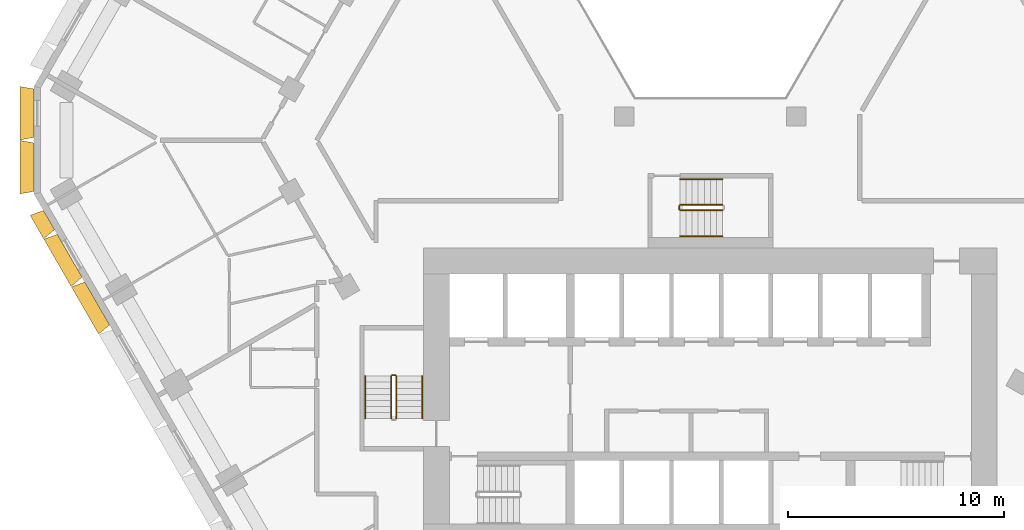
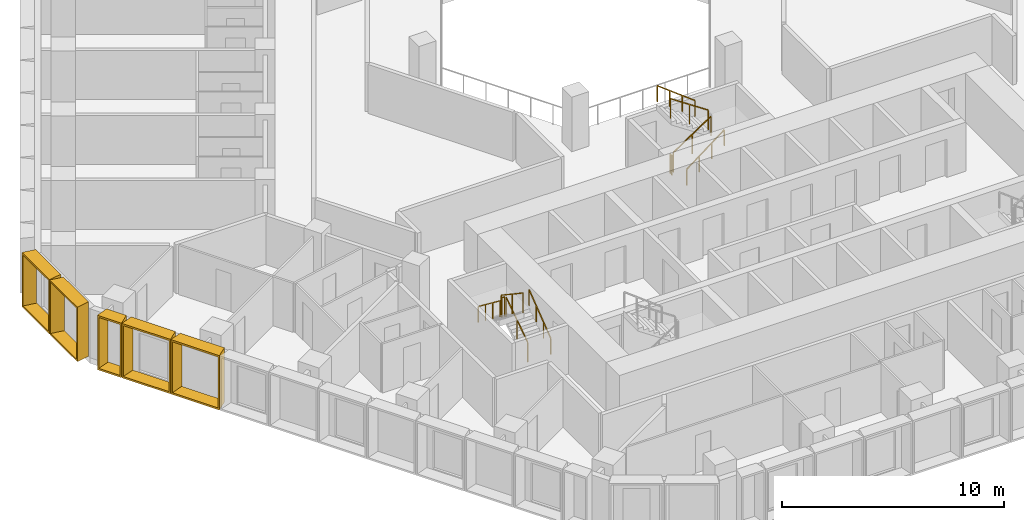
# One storey, part 14 of 16: 10 railings, 5 shading devices.
"""IFC4 building model written with IfcOpenShell, lengths in metres."""

from ifc_helpers import new_model, entity, si_unit, direction, frame, origin, origin_2d, place, context, subcontext, project, spatial, rectangle, extrude, source, transform, mapped, material, type_object, type_shapes, element, save


model = new_model("IFC4")

# Units and contexts
model_context = context("Model", 3, precision=1e-05, world=origin(), true_north=direction((0.0, 1.0)))
body_context = subcontext(model_context, "Body", "Model", "MODEL_VIEW")
ifc_project = project(units=[si_unit("LENGTHUNIT", "METRE"), si_unit("AREAUNIT", "SQUARE_METRE"), si_unit("VOLUMEUNIT", "CUBIC_METRE"), si_unit("PLANEANGLEUNIT", "RADIAN"), si_unit("MASSUNIT", "GRAM", prefix="KILO")], contexts=[model_context])

# Site, building, storey
site_placement = place(None, origin())
site = spatial("IfcSite", under=ifc_project, at=site_placement, CompositionType="ELEMENT")
building_placement = place(site_placement, origin())
building = spatial("IfcBuilding", under=site, at=building_placement, Name="Beryl Residences", CompositionType="ELEMENT")
storey_placement = place(building_placement, frame((0.0, 0.0, 38.39990234375)))
storey = spatial("IfcBuildingStorey", under=building, at=storey_placement, Name="L11", CompositionType="ELEMENT", Elevation=38.39990234375)

# Shading devices
ifc_material_1 = material(Name="Aluminium pale anodised", Category="aluminium")
shading_device_type_1 = type_object("IfcShadingDeviceType", Name="FR128-65A OUTER SKIN frame 650 mm deep, splay 10/10 deg, 1280 x 3000 mm cell", PredefinedType="USERDEFINED", material=ifc_material_1)
cartesian_point_1 = entity("IfcCartesianPoint", [-0.514892578125, 0.0])
cartesian_point_2 = entity("IfcCartesianPoint", [-0.433837890625, 0.10009765625])
cartesian_point_3 = entity("IfcCartesianPoint", [-0.629638671875, 0.0])
cartesian_point_4 = entity("IfcCartesianPoint", [-0.54833984375, 0.10009765625])
shared_shape_1 = source(origin(), body_context, "Body", "SweptSolid", [
    entity("IfcExtrudedAreaSolidTapered", entity("IfcArbitraryProfileDefWithVoids", "AREA", None, entity("IfcPolyline", [cartesian_point_1, entity("IfcCartesianPoint", [0.514892578125, 0.0]), entity("IfcCartesianPoint", [0.514892578125, 3.0]), entity("IfcCartesianPoint", [-0.514892578125, 3.0]), cartesian_point_1]), [entity("IfcPolyline", [cartesian_point_2, entity("IfcCartesianPoint", [0.433837890625, 0.10009765625]), entity("IfcCartesianPoint", [0.433837890625, 2.89990234375]), entity("IfcCartesianPoint", [-0.433837890625, 2.89990234375]), cartesian_point_2])]), entity("IfcAxis2Placement3D", entity("IfcCartesianPoint", [0.0, 0.0, 0.0]), entity("IfcDirection", [0.0, 1.0, 0.0]), entity("IfcDirection", [-1.0, 0.0, 0.0])), entity("IfcDirection", [0.0, 0.0, 1.0]), 0.64990234375, entity("IfcArbitraryProfileDefWithVoids", "AREA", None, entity("IfcPolyline", [cartesian_point_3, entity("IfcCartesianPoint", [0.629638671875, 0.0]), entity("IfcCartesianPoint", [0.629638671875, 3.0]), entity("IfcCartesianPoint", [-0.629638671875, 3.0]), cartesian_point_3]), [entity("IfcPolyline", [cartesian_point_4, entity("IfcCartesianPoint", [0.54833984375, 0.10009765625]), entity("IfcCartesianPoint", [0.54833984375, 2.89990234375]), entity("IfcCartesianPoint", [-0.54833984375, 2.89990234375]), cartesian_point_4])])),
])
type_shapes(shading_device_type_1, [shared_shape_1])
shading_device_placement = place(storey_placement, frame((-30.655029296875, -3.702880859375, 0.0), z_axis=(0.0, 0.0, 1.0), x_axis=(-0.5, 0.866025403784, 0.0)))
element("IfcShadingDevice", 1, at=shading_device_placement, inside=storey, type_object=shading_device_type_1, Name="FR128-65A frame L11 SW 1", ObjectType="OUTER SKIN", PredefinedType="USERDEFINED", context=body_context, shape_type="MappedRepresentation", body=[
    mapped(shared_shape_1, transform((0.0, 0.0, 0.0))),
])
ifc_material_2 = material(Name="Aluminium pale anodised", Category="aluminium")
shading_device_type_2 = type_object("IfcShadingDeviceType", Name="FR250-65A OUTER SKIN frame 650 mm deep, splay 10/10 deg, 2500 x 3000 mm cell", PredefinedType="USERDEFINED", material=ifc_material_2)
cartesian_point_5 = entity("IfcCartesianPoint", [-1.125, 0.0])
cartesian_point_6 = entity("IfcCartesianPoint", [-1.043701171875, 0.10009765625])
cartesian_point_7 = entity("IfcCartesianPoint", [-1.239501953125, 0.0])
cartesian_point_8 = entity("IfcCartesianPoint", [-1.158447265625, 0.10009765625])
shared_shape_2 = source(origin(), body_context, "Body", "SweptSolid", [
    entity("IfcExtrudedAreaSolidTapered", entity("IfcArbitraryProfileDefWithVoids", "AREA", None, entity("IfcPolyline", [cartesian_point_5, entity("IfcCartesianPoint", [1.125, 0.0]), entity("IfcCartesianPoint", [1.125, 3.0]), entity("IfcCartesianPoint", [-1.125, 3.0]), cartesian_point_5]), [entity("IfcPolyline", [cartesian_point_6, entity("IfcCartesianPoint", [1.043701171875, 0.10009765625]), entity("IfcCartesianPoint", [1.043701171875, 2.89990234375]), entity("IfcCartesianPoint", [-1.043701171875, 2.89990234375]), cartesian_point_6])]), entity("IfcAxis2Placement3D", entity("IfcCartesianPoint", [0.0, 0.0, 0.0]), entity("IfcDirection", [0.0, 1.0, 0.0]), entity("IfcDirection", [-1.0, 0.0, 0.0])), entity("IfcDirection", [0.0, 0.0, 1.0]), 0.64990234375, entity("IfcArbitraryProfileDefWithVoids", "AREA", None, entity("IfcPolyline", [cartesian_point_7, entity("IfcCartesianPoint", [1.239501953125, 0.0]), entity("IfcCartesianPoint", [1.239501953125, 3.0]), entity("IfcCartesianPoint", [-1.239501953125, 3.0]), cartesian_point_7]), [entity("IfcPolyline", [cartesian_point_8, entity("IfcCartesianPoint", [1.158447265625, 0.10009765625]), entity("IfcCartesianPoint", [1.158447265625, 2.89990234375]), entity("IfcCartesianPoint", [-1.158447265625, 2.89990234375]), cartesian_point_8])])),
])
type_shapes(shading_device_type_2, [shared_shape_2])
for number, where, z_axis, x_axis, name in (
    (2, (-31.35009765625, 1.25, 0.0), (0.0, 0.0, 1.0), (0.0, 1.0, 0.0), "FR250-65A frame L11 NW-SW 1"),
    (3, (-31.35009765625, -1.25, 0.0), (0.0, 0.0, 1.0), (0.0, 1.0, 0.0), "FR250-65A frame L11 NW-SW 2"),
):
    element("IfcShadingDevice", number, at=place(storey_placement, frame(where, z_axis=z_axis, x_axis=x_axis)), inside=storey, type_object=shading_device_type_2, Name=name, ObjectType="OUTER SKIN", PredefinedType="USERDEFINED", context=body_context, shape_type="MappedRepresentation", body=[
        mapped(shared_shape_2, transform((0.0, 0.0, 0.0))),
    ])
ifc_material_3 = material(Name="Aluminium pale anodised", Category="aluminium")
shading_device_type_3 = type_object("IfcShadingDeviceType", Name="FR255-65A OUTER SKIN frame 650 mm deep, splay 10/10 deg, 2550 x 3000 mm cell", PredefinedType="USERDEFINED", material=ifc_material_3)
cartesian_point_9 = entity("IfcCartesianPoint", [-1.14990234375, 0.0])
cartesian_point_10 = entity("IfcCartesianPoint", [-1.06884765625, 0.10009765625])
cartesian_point_11 = entity("IfcCartesianPoint", [-1.2646484375, 0.0])
cartesian_point_12 = entity("IfcCartesianPoint", [-1.183349609375, 0.10009765625])
shared_shape_3 = source(origin(), body_context, "Body", "SweptSolid", [
    entity("IfcExtrudedAreaSolidTapered", entity("IfcArbitraryProfileDefWithVoids", "AREA", None, entity("IfcPolyline", [cartesian_point_9, entity("IfcCartesianPoint", [1.14990234375, 0.0]), entity("IfcCartesianPoint", [1.14990234375, 3.0]), entity("IfcCartesianPoint", [-1.14990234375, 3.0]), cartesian_point_9]), [entity("IfcPolyline", [cartesian_point_10, entity("IfcCartesianPoint", [1.06884765625, 0.10009765625]), entity("IfcCartesianPoint", [1.06884765625, 2.89990234375]), entity("IfcCartesianPoint", [-1.06884765625, 2.89990234375]), cartesian_point_10])]), entity("IfcAxis2Placement3D", entity("IfcCartesianPoint", [0.0, 0.0, 0.0]), entity("IfcDirection", [0.0, 1.0, 0.0]), entity("IfcDirection", [-1.0, 0.0, 0.0])), entity("IfcDirection", [0.0, 0.0, 1.0]), 0.64990234375, entity("IfcArbitraryProfileDefWithVoids", "AREA", None, entity("IfcPolyline", [cartesian_point_11, entity("IfcCartesianPoint", [1.2646484375, 0.0]), entity("IfcCartesianPoint", [1.2646484375, 3.0]), entity("IfcCartesianPoint", [-1.2646484375, 3.0]), cartesian_point_11]), [entity("IfcPolyline", [cartesian_point_12, entity("IfcCartesianPoint", [1.183349609375, 0.10009765625]), entity("IfcCartesianPoint", [1.183349609375, 2.89990234375]), entity("IfcCartesianPoint", [-1.183349609375, 2.89990234375]), cartesian_point_12])])),
])
type_shapes(shading_device_type_3, [shared_shape_3])
for number, where, z_axis, x_axis, name in (
    (4, (-29.697998046875, -5.360107421875, 0.0), (0.0, 0.0, 1.0), (-0.5, 0.866025403784, 0.0), "FR255-65A frame L11 SW 2"),
    (5, (-28.422119140625, -7.570068359375, 0.0), (0.0, 0.0, 1.0), (-0.5, 0.866025403784, 0.0), "FR255-65A frame L11 SW 3"),
):
    element("IfcShadingDevice", number, at=place(storey_placement, frame(where, z_axis=z_axis, x_axis=x_axis)), inside=storey, type_object=shading_device_type_3, Name=name, ObjectType="OUTER SKIN", PredefinedType="USERDEFINED", context=body_context, shape_type="MappedRepresentation", body=[
        mapped(shared_shape_3, transform((0.0, 0.0, 0.0))),
    ])

# Railings
ifc_material_4 = material(Name="Stainless steel balustrade with glass infill", Category="steel")
railing_type_1 = type_object("IfcRailingType", Name="SG1 stair guard 1100 mm", PredefinedType="GUARDRAIL", material=ifc_material_4)
railing_1_placement = place(storey_placement, frame((-14.550048828125, -12.89990234375, 0.1875)))
element("IfcRailing", 6, at=railing_1_placement, inside=storey, type_object=railing_type_1, Name="L11 ST-2 stair guard 1", PredefinedType="GUARDRAIL", context=body_context, shape_type="SweptSolid", body=[
    extrude(rectangle(XDim=0.048095703125, YDim=0.048095703125, at=origin_2d()), frame((0.0, 0.0, 1.076171875), z_axis=(0.0, 0.830902050051, 0.556418712142), x_axis=(-1.0, 0.0, 0.0)), (0.0, 0.0, 1.0), 2.35888671875),
    extrude(rectangle(XDim=0.0419921875, YDim=0.0419921875, at=origin_2d()), origin(), (0.0, 0.0, 1.0), 1.052001953125),
    extrude(rectangle(XDim=0.0419921875, YDim=0.0419921875, at=origin_2d()), frame((0.0, 0.97998046875, 0.65625)), (0.0, 0.0, 1.0), 1.052001953125),
    extrude(rectangle(XDim=0.0419921875, YDim=0.0419921875, at=origin_2d()), frame((0.0, 1.9599609375, 1.3125)), (0.0, 0.0, 1.0), 1.052001953125),
])
railing_2_placement = place(storey_placement, frame((-14.60009765625, -10.889892578125, 1.5)))
element("IfcRailing", 7, at=railing_2_placement, inside=storey, type_object=railing_type_1, Name="L11 ST-2 stair guard 2", PredefinedType="GUARDRAIL", context=body_context, shape_type="SweptSolid", body=[
    extrude(rectangle(XDim=0.048095703125, YDim=0.048095703125, at=origin_2d()), frame((0.0, 0.0, 1.076171875), z_axis=(-1.0, 0.0, 0.0), x_axis=(0.0, -1.0, 0.0)), (0.0, 0.0, 1.0), 0.14990234375),
    extrude(rectangle(XDim=0.0419921875, YDim=0.0419921875, at=origin_2d()), origin(), (0.0, 0.0, 1.0), 1.052001953125),
    extrude(rectangle(XDim=0.0419921875, YDim=0.0419921875, at=origin_2d()), frame((-0.14990234375, 0.0, 0.0)), (0.0, 0.0, 1.0), 1.052001953125),
])
railing_3_placement = place(storey_placement, frame((-14.800048828125, -10.93994140625, 1.6875)))
element("IfcRailing", 8, at=railing_3_placement, inside=storey, type_object=railing_type_1, Name="L11 ST-2 stair guard 3", PredefinedType="GUARDRAIL", context=body_context, shape_type="SweptSolid", body=[
    extrude(rectangle(XDim=0.048095703125, YDim=0.048095703125, at=origin_2d()), frame((0.0, 0.0, 1.076171875), z_axis=(0.0, -0.830902050051, 0.556418712142), x_axis=(1.0, 0.0, 0.0)), (0.0, 0.0, 1.0), 2.35888671875),
    extrude(rectangle(XDim=0.0419921875, YDim=0.0419921875, at=origin_2d()), origin(), (0.0, 0.0, 1.0), 1.052001953125),
    extrude(rectangle(XDim=0.0419921875, YDim=0.0419921875, at=origin_2d()), frame((0.0, -0.97998046875, 0.65625)), (0.0, 0.0, 1.0), 1.052001953125),
    extrude(rectangle(XDim=0.0419921875, YDim=0.0419921875, at=origin_2d()), frame((0.0, -1.9599609375, 1.3125)), (0.0, 0.0, 1.0), 1.052001953125),
])
railing_4_placement = place(storey_placement, frame((-1.39990234375, -3.25, 0.1875)))
element("IfcRailing", 9, at=railing_4_placement, inside=storey, type_object=railing_type_1, Name="L11 ST-4 stair guard 1", PredefinedType="GUARDRAIL", context=body_context, shape_type="SweptSolid", body=[
    extrude(rectangle(XDim=0.048095703125, YDim=0.048095703125, at=origin_2d()), frame((0.0, 0.0, 1.076171875), z_axis=(0.830902050051, 0.0, 0.556418712142), x_axis=(0.0, 1.0, 0.0)), (0.0, 0.0, 1.0), 2.35888671875),
    extrude(rectangle(XDim=0.0419921875, YDim=0.0419921875, at=origin_2d()), origin(), (0.0, 0.0, 1.0), 1.052001953125),
    extrude(rectangle(XDim=0.0419921875, YDim=0.0419921875, at=origin_2d()), frame((0.97998046875, 0.0, 0.65625)), (0.0, 0.0, 1.0), 1.052001953125),
    extrude(rectangle(XDim=0.0419921875, YDim=0.0419921875, at=origin_2d()), frame((1.9599609375, 0.0, 1.3125)), (0.0, 0.0, 1.0), 1.052001953125),
])
railing_5_placement = place(storey_placement, frame((0.56005859375, -3.0, 1.6875)))
element("IfcRailing", 10, at=railing_5_placement, inside=storey, type_object=railing_type_1, Name="L11 ST-4 stair guard 3", PredefinedType="GUARDRAIL", context=body_context, shape_type="SweptSolid", body=[
    extrude(rectangle(XDim=0.048095703125, YDim=0.048095703125, at=origin_2d()), frame((0.0, 0.0, 1.076171875), z_axis=(-0.830902050051, 0.0, 0.556418712142), x_axis=(0.0, -1.0, 0.0)), (0.0, 0.0, 1.0), 2.35888671875),
    extrude(rectangle(XDim=0.0419921875, YDim=0.0419921875, at=origin_2d()), origin(), (0.0, 0.0, 1.0), 1.052001953125),
    extrude(rectangle(XDim=0.0419921875, YDim=0.0419921875, at=origin_2d()), frame((-0.97998046875, 0.0, 0.65625)), (0.0, 0.0, 1.0), 1.052001953125),
    extrude(rectangle(XDim=0.0419921875, YDim=0.0419921875, at=origin_2d()), frame((-1.9599609375, 0.0, 1.3125)), (0.0, 0.0, 1.0), 1.052001953125),
])
railing_6_placement = place(storey_placement, frame((-1.449951171875, -3.199951171875, 0.0)))
element("IfcRailing", 11, at=railing_6_placement, inside=storey, type_object=railing_type_1, Name="L11 ST-4 stair guard 4", PredefinedType="GUARDRAIL", context=body_context, shape_type="SweptSolid", body=[
    extrude(rectangle(XDim=0.048095703125, YDim=0.048095703125, at=origin_2d()), frame((0.0, 0.0, 1.076171875), z_axis=(0.0, 1.0, 0.0), x_axis=(-1.0, 0.0, 0.0)), (0.0, 0.0, 1.0), 0.14990234375),
    extrude(rectangle(XDim=0.0419921875, YDim=0.0419921875, at=origin_2d()), origin(), (0.0, 0.0, 1.0), 1.052001953125),
    extrude(rectangle(XDim=0.0419921875, YDim=0.0419921875, at=origin_2d()), frame((0.0, 0.14990234375, 0.0)), (0.0, 0.0, 1.0), 1.052001953125),
])
ifc_material_5 = material(Name="Stainless steel handrail", Category="steel")
railing_type_2 = type_object("IfcRailingType", Name="SRL1 stair handrail 900 mm", PredefinedType="HANDRAIL", material=ifc_material_5)
railing_7_placement = place(storey_placement, frame((-13.35009765625, -12.89990234375, 0.1875)))
element("IfcRailing", 12, at=railing_7_placement, inside=storey, type_object=railing_type_2, Name="L11 ST-2 stair handrail 1", PredefinedType="HANDRAIL", context=body_context, shape_type="SweptSolid", body=[
    extrude(rectangle(XDim=0.048095703125, YDim=0.048095703125, at=origin_2d()), frame((0.0, 0.0, 0.8759765625), z_axis=(0.0, 0.794121922505, 0.607758481798), x_axis=(-1.0, 0.0, 0.0)), (0.0, 0.0, 1.0), 2.468017578125),
    extrude(rectangle(XDim=0.0419921875, YDim=0.0419921875, at=origin_2d()), origin(), (0.0, 0.0, 1.0), 0.851806640625),
    extrude(rectangle(XDim=0.0419921875, YDim=0.0419921875, at=origin_2d()), frame((0.0, 0.6533203125, 0.5)), (0.0, 0.0, 1.0), 0.851806640625),
    extrude(rectangle(XDim=0.0419921875, YDim=0.0419921875, at=origin_2d()), frame((0.0, 1.306640625, 1.0)), (0.0, 0.0, 1.0), 0.851806640625),
    extrude(rectangle(XDim=0.0419921875, YDim=0.0419921875, at=origin_2d()), frame((0.0, 1.9599609375, 1.5)), (0.0, 0.0, 1.0), 0.851806640625),
])
railing_8_placement = place(storey_placement, frame((-16.0, -10.93994140625, 1.6875)))
element("IfcRailing", 13, at=railing_8_placement, inside=storey, type_object=railing_type_2, Name="L11 ST-2 stair handrail 2", PredefinedType="HANDRAIL", context=body_context, shape_type="SweptSolid", body=[
    extrude(rectangle(XDim=0.048095703125, YDim=0.048095703125, at=origin_2d()), frame((0.0, 0.0, 0.8759765625), z_axis=(0.0, -0.794121922505, 0.607758481798), x_axis=(1.0, 0.0, 0.0)), (0.0, 0.0, 1.0), 2.468017578125),
    extrude(rectangle(XDim=0.0419921875, YDim=0.0419921875, at=origin_2d()), origin(), (0.0, 0.0, 1.0), 0.851806640625),
    extrude(rectangle(XDim=0.0419921875, YDim=0.0419921875, at=origin_2d()), frame((0.0, -0.6533203125, 0.5)), (0.0, 0.0, 1.0), 0.851806640625),
    extrude(rectangle(XDim=0.0419921875, YDim=0.0419921875, at=origin_2d()), frame((0.0, -1.306640625, 1.0)), (0.0, 0.0, 1.0), 0.851806640625),
    extrude(rectangle(XDim=0.0419921875, YDim=0.0419921875, at=origin_2d()), frame((0.0, -1.9599609375, 1.5)), (0.0, 0.0, 1.0), 0.851806640625),
])
railing_9_placement = place(storey_placement, frame((-1.39990234375, -4.449951171875, 0.1875)))
element("IfcRailing", 14, at=railing_9_placement, inside=storey, type_object=railing_type_2, Name="L11 ST-4 stair handrail 1", PredefinedType="HANDRAIL", context=body_context, shape_type="SweptSolid", body=[
    extrude(rectangle(XDim=0.048095703125, YDim=0.048095703125, at=origin_2d()), frame((0.0, 0.0, 0.8759765625), z_axis=(0.794121922505, 0.0, 0.607758481798), x_axis=(0.0, 1.0, 0.0)), (0.0, 0.0, 1.0), 2.468017578125),
    extrude(rectangle(XDim=0.0419921875, YDim=0.0419921875, at=origin_2d()), origin(), (0.0, 0.0, 1.0), 0.851806640625),
    extrude(rectangle(XDim=0.0419921875, YDim=0.0419921875, at=origin_2d()), frame((0.6533203125, 0.0, 0.5)), (0.0, 0.0, 1.0), 0.851806640625),
    extrude(rectangle(XDim=0.0419921875, YDim=0.0419921875, at=origin_2d()), frame((1.306640625, 0.0, 1.0)), (0.0, 0.0, 1.0), 0.851806640625),
    extrude(rectangle(XDim=0.0419921875, YDim=0.0419921875, at=origin_2d()), frame((1.9599609375, 0.0, 1.5)), (0.0, 0.0, 1.0), 0.851806640625),
])
railing_10_placement = place(storey_placement, frame((0.56005859375, -1.800048828125, 1.6875)))
element("IfcRailing", 15, at=railing_10_placement, inside=storey, type_object=railing_type_2, Name="L11 ST-4 stair handrail 2", PredefinedType="HANDRAIL", context=body_context, shape_type="SweptSolid", body=[
    extrude(rectangle(XDim=0.048095703125, YDim=0.048095703125, at=origin_2d()), frame((0.0, 0.0, 0.8759765625), z_axis=(-0.794121922505, 0.0, 0.607758481798), x_axis=(0.0, -1.0, 0.0)), (0.0, 0.0, 1.0), 2.468017578125),
    extrude(rectangle(XDim=0.0419921875, YDim=0.0419921875, at=origin_2d()), origin(), (0.0, 0.0, 1.0), 0.851806640625),
    extrude(rectangle(XDim=0.0419921875, YDim=0.0419921875, at=origin_2d()), frame((-0.6533203125, 0.0, 0.5)), (0.0, 0.0, 1.0), 0.851806640625),
    extrude(rectangle(XDim=0.0419921875, YDim=0.0419921875, at=origin_2d()), frame((-1.306640625, 0.0, 1.0)), (0.0, 0.0, 1.0), 0.851806640625),
    extrude(rectangle(XDim=0.0419921875, YDim=0.0419921875, at=origin_2d()), frame((-1.9599609375, 0.0, 1.5)), (0.0, 0.0, 1.0), 0.851806640625),
])

save(model, "model.ifc")
